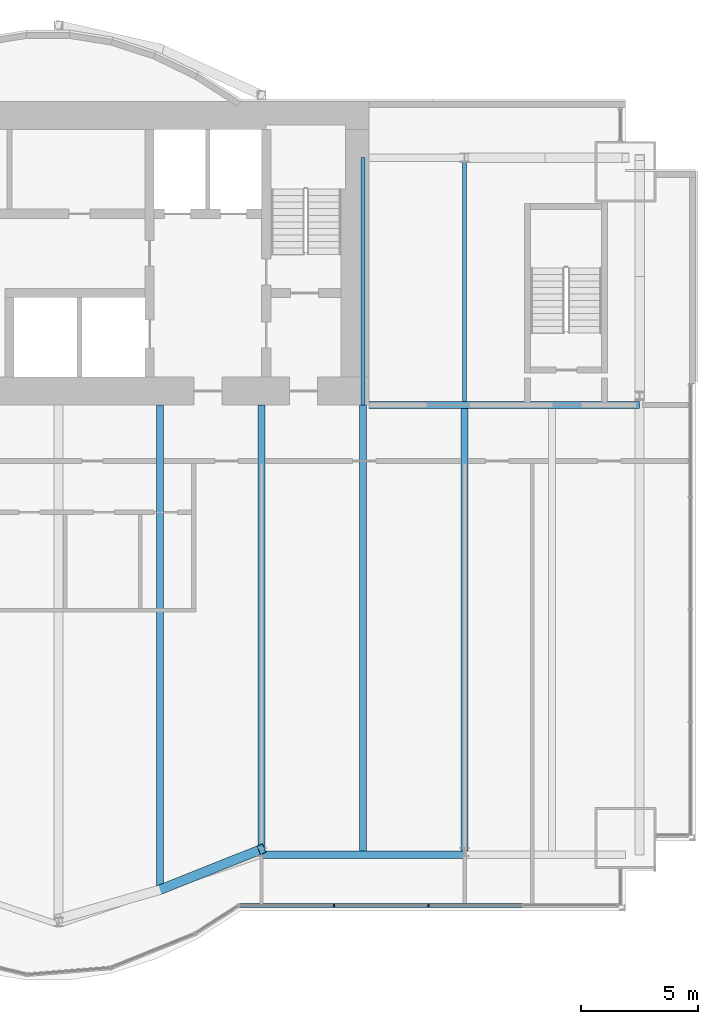
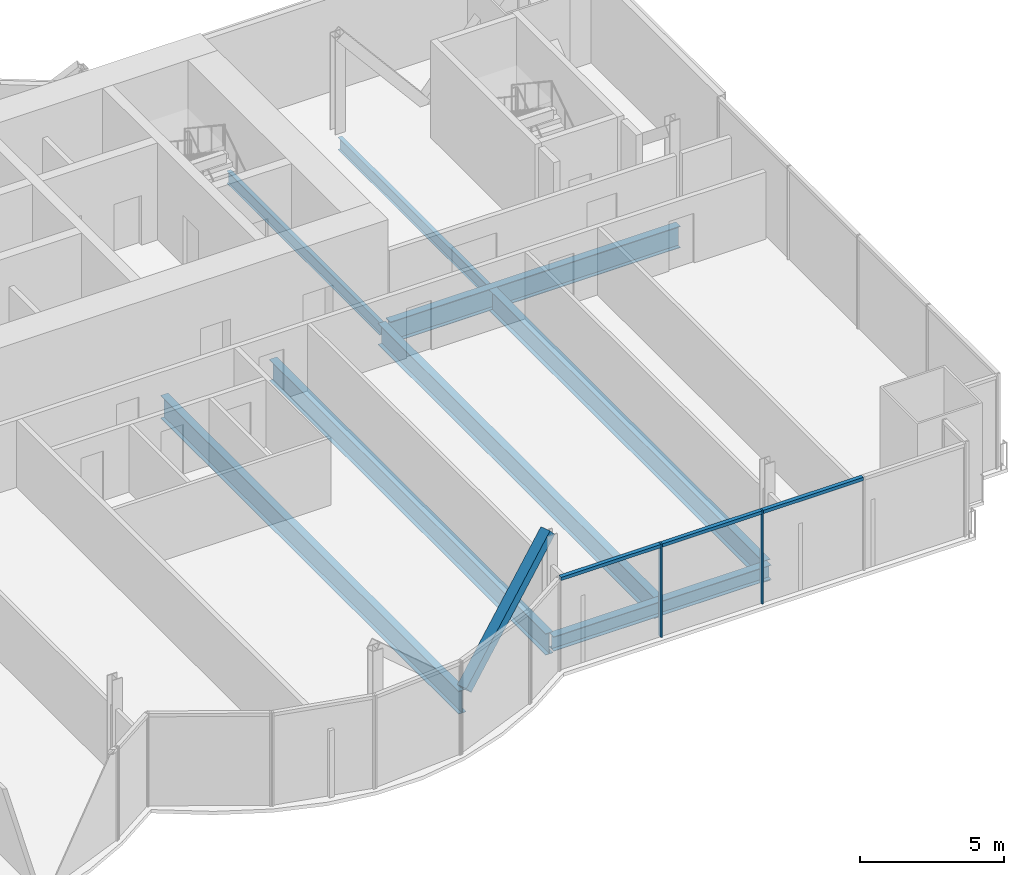
# One storey, part 9 of 21: 8 beams, 6 members, 1 element without a shape of its own.
"""IFC4 building model written with IfcOpenShell, lengths in metres."""

from ifc_helpers import new_model, si_unit, direction, frame, origin, origin_2d, place, context, subcontext, project, spatial, rectangle, hollow_rectangle, i_section, extrude, material, material_profile, profile_set, type_object, element, aggregate, save


model = new_model("IFC4")

# Units and contexts
model_context = context("Model", 3, precision=1e-05, world=origin(), true_north=direction((0.0, 1.0)))
body_context = subcontext(model_context, "Body", "Model", "MODEL_VIEW")
ifc_project = project(units=[si_unit("LENGTHUNIT", "METRE"), si_unit("AREAUNIT", "SQUARE_METRE"), si_unit("VOLUMEUNIT", "CUBIC_METRE"), si_unit("PLANEANGLEUNIT", "RADIAN"), si_unit("MASSUNIT", "GRAM", prefix="KILO")], contexts=[model_context])

# Site, building, storey
site_placement = place(None, origin())
site = spatial("IfcSite", under=ifc_project, at=site_placement, CompositionType="ELEMENT")
building_placement = place(site_placement, origin())
building = spatial("IfcBuilding", under=site, at=building_placement, Name="Bicima Exchange Tower", CompositionType="ELEMENT")
storey_placement = place(building_placement, frame((0.0, 0.0, 165.0)))
storey = spatial("IfcBuildingStorey", under=building, at=storey_placement, Name="L36", CompositionType="ELEMENT", Elevation=165.0)

# Beams
ifc_material_1 = material(Name="Steel ASTM A992 Gr 50", Category="steel")
ifc_material_profile_1 = material_profile(ifc_material_1, i_section(OverallWidth=0.3046875, OverallDepth=0.911865234375, WebThickness=0.015869140625, FlangeThickness=0.02392578125, at=origin_2d()))
ifc_profile_set_1 = profile_set([ifc_material_profile_1], Name="Steel ASTM A992 Gr 50")
beam_type_1 = type_object("IfcBeamType", Name="Core-line girder W36x150", PredefinedType="BEAM", material=ifc_profile_set_1)
beam_1_placement = place(storey_placement, frame((22.0, -13.0, -0.60595703125), z_axis=(1.0, 0.0, 0.0), x_axis=(0.0, 1.0, 0.0)))
element("IfcBeam", 1, at=beam_1_placement, inside=storey, type_object=beam_type_1, Name="Core-line girder", PredefinedType="BEAM", context=body_context, shape_type="SweptSolid", body=[
    extrude(i_section(OverallWidth=0.3046875, OverallDepth=0.911865234375, WebThickness=0.015869140625, FlangeThickness=0.02392578125, at=origin_2d()), origin(), (0.0, 0.0, 1.0), 11.60009765625),
])
ifc_material_profile_2 = material_profile(ifc_material_1, i_section(OverallWidth=0.165771484375, OverallDepth=0.5283203125, WebThickness=0.009765625, FlangeThickness=0.013671875, at=origin_2d()))
ifc_profile_set_2 = profile_set([ifc_material_profile_2], Name="Steel ASTM A992 Gr 50")
beam_type_2 = type_object("IfcBeamType", Name="Floor beam W21x50", PredefinedType="JOIST", material=ifc_profile_set_2)
beam_2_placement = place(storey_placement, frame((21.75, -2.39990234375, -0.414306640625), z_axis=(0.0, -1.0, 0.0), x_axis=(1.0, 0.0, 0.0)))
element("IfcBeam", 2, at=beam_2_placement, inside=storey, type_object=beam_type_2, Name="Floor beam", PredefinedType="JOIST", context=body_context, shape_type="SweptSolid", body=[
    extrude(i_section(OverallWidth=0.165771484375, OverallDepth=0.5283203125, WebThickness=0.009765625, FlangeThickness=0.013671875, at=origin_2d()), origin(), (0.0, 0.0, 1.0), 10.60009765625),
])
beam_3_placement = place(storey_placement, frame((26.10009765625, -2.5625, -0.414306640625), z_axis=(0.0, -1.0, 0.0), x_axis=(1.0, 0.0, 0.0)))
element("IfcBeam", 3, at=beam_3_placement, inside=storey, type_object=beam_type_2, Name="Floor beam", PredefinedType="JOIST", context=body_context, shape_type="SweptSolid", body=[
    extrude(i_section(OverallWidth=0.165771484375, OverallDepth=0.5283203125, WebThickness=0.009765625, FlangeThickness=0.013671875, at=origin_2d()), origin(), (0.0, 0.0, 1.0), 10.28515625),
])
ifc_material_profile_3 = material_profile(ifc_material_1, i_section(OverallWidth=0.3046875, OverallDepth=0.904296875, WebThickness=0.01513671875, FlangeThickness=0.02001953125, at=origin_2d()))
ifc_profile_set_3 = profile_set([ifc_material_profile_3], Name="Steel ASTM A992 Gr 50")
beam_type_3 = type_object("IfcBeamType", Name="Floor beam W36x135", PredefinedType="JOIST", material=ifc_profile_set_3)
beam_4_placement = place(storey_placement, frame((17.39990234375, -13.0, -0.60205078125), z_axis=(0.0, -1.0, 0.0), x_axis=(1.0, 0.0, 0.0)))
element("IfcBeam", 4, at=beam_4_placement, inside=storey, type_object=beam_type_3, Name="Floor beam", PredefinedType="JOIST", context=body_context, shape_type="SweptSolid", body=[
    extrude(i_section(OverallWidth=0.3046875, OverallDepth=0.904296875, WebThickness=0.01513671875, FlangeThickness=0.02001953125, at=origin_2d()), origin(), (0.0, 0.0, 1.0), 19.144287109375),
])
beam_5_placement = place(storey_placement, frame((21.75, -13.0, -0.60205078125), z_axis=(0.0, -1.0, 0.0), x_axis=(1.0, 0.0, 0.0)))
element("IfcBeam", 5, at=beam_5_placement, inside=storey, type_object=beam_type_3, Name="Floor beam", PredefinedType="JOIST", context=body_context, shape_type="SweptSolid", body=[
    extrude(i_section(OverallWidth=0.3046875, OverallDepth=0.904296875, WebThickness=0.01513671875, FlangeThickness=0.02001953125, at=origin_2d()), origin(), (0.0, 0.0, 1.0), 19.117431640625),
])
beam_6_placement = place(storey_placement, frame((26.10009765625, -13.15234375, -0.60205078125), z_axis=(0.0, -1.0, 0.0), x_axis=(1.0, 0.0, 0.0)))
element("IfcBeam", 6, at=beam_6_placement, inside=storey, type_object=beam_type_3, Name="Floor beam", PredefinedType="JOIST", context=body_context, shape_type="SweptSolid", body=[
    extrude(i_section(OverallWidth=0.3046875, OverallDepth=0.904296875, WebThickness=0.01513671875, FlangeThickness=0.02001953125, at=origin_2d()), origin(), (0.0, 0.0, 1.0), 18.965087890625),
])
ifc_material_profile_4 = material_profile(ifc_material_1, i_section(OverallWidth=0.2998046875, OverallDepth=0.97021484375, WebThickness=0.01611328125, FlangeThickness=0.02099609375, at=origin_2d()))
ifc_profile_set_4 = profile_set([ifc_material_profile_4], Name="Steel ASTM A992 Gr 50")
beam_type_4 = type_object("IfcBeamType", Name="Floor beam W40x149", PredefinedType="JOIST", material=ifc_profile_set_4)
beam_7_placement = place(storey_placement, frame((13.050048828125, -13.0, -0.635009765625), z_axis=(0.0, -1.0, 0.0), x_axis=(1.0, 0.0, 0.0)))
element("IfcBeam", 7, at=beam_7_placement, inside=storey, type_object=beam_type_4, Name="Floor beam", PredefinedType="JOIST", context=body_context, shape_type="SweptSolid", body=[
    extrude(i_section(OverallWidth=0.2998046875, OverallDepth=0.97021484375, WebThickness=0.01611328125, FlangeThickness=0.02099609375, at=origin_2d()), origin(), (0.0, 0.0, 1.0), 20.639892578125),
])
ifc_material_profile_5 = material_profile(ifc_material_1, i_section(OverallWidth=0.3251953125, OverallDepth=0.612060546875, WebThickness=0.0126953125, FlangeThickness=0.01904296875, at=origin_2d()))
ifc_profile_set_5 = profile_set([ifc_material_profile_5], Name="Steel ASTM A992 Gr 50")
beam_type_5 = type_object("IfcBeamType", Name="Front girder W24x104", PredefinedType="BEAM", material=ifc_profile_set_5)
beam_8_placement = place(storey_placement, frame((17.39990234375, -32.280029296875, -0.4560546875), z_axis=(1.0, 0.0, 0.0), x_axis=(0.0, 1.0, 0.0)))
element("IfcBeam", 8, at=beam_8_placement, inside=storey, type_object=beam_type_5, Name="Front girder", PredefinedType="BEAM", context=body_context, shape_type="SweptSolid", body=[
    extrude(i_section(OverallWidth=0.3251953125, OverallDepth=0.612060546875, WebThickness=0.0126953125, FlangeThickness=0.01904296875, at=origin_2d()), origin(), (0.0, 0.0, 1.0), 8.7001953125),
])

# Curtain wall, members
ifc_material_2 = material(Name="Anodised bronze aluminium", Category="aluminium")
curtain_wall_type = type_object("IfcCurtainWallType", Name="Front glass wall", PredefinedType="NOTDEFINED", material=ifc_material_2)
curtain_wall_placement = place(storey_placement, origin())
curtain_wall = element("IfcCurtainWall", 9, at=curtain_wall_placement, inside=storey, type_object=curtain_wall_type, Name="Front glass wall L36 run 16", PredefinedType="NOTDEFINED")
ifc_material_profile_6 = material_profile(ifc_material_2, rectangle(XDim=0.159912109375, YDim=0.06005859375, at=origin_2d()))
ifc_profile_set_6 = profile_set([ifc_material_profile_6], Name="Anodised bronze aluminium")
member_type_1 = type_object("IfcMemberType", Name="Front glass wall mullion 60 x 160", PredefinedType="MULLION", material=ifc_profile_set_6)
member_1_placement = place(storey_placement, frame((20.51171875, -34.449951171875, 0.0), z_axis=(0.0, 0.0, 1.0), x_axis=(0.0, 1.0, 0.0)))
member_1 = element("IfcMember", 10, at=member_1_placement, type_object=member_type_1, Name="Front glass wall mullion 2", PredefinedType="MULLION", context=body_context, shape_type="SweptSolid", body=[
    extrude(rectangle(XDim=0.159912109375, YDim=0.06005859375, at=origin_2d()), origin(), (0.0, 0.0, 1.0), 3.949951171875),
])
member_2_placement = place(storey_placement, frame((24.56103515625, -34.449951171875, 0.0), z_axis=(0.0, 0.0, 1.0), x_axis=(0.0, 1.0, 0.0)))
member_2 = element("IfcMember", 11, at=member_2_placement, type_object=member_type_1, Name="Front glass wall mullion 3", PredefinedType="MULLION", context=body_context, shape_type="SweptSolid", body=[
    extrude(rectangle(XDim=0.159912109375, YDim=0.06005859375, at=origin_2d()), origin(), (0.0, 0.0, 1.0), 3.949951171875),
])
ifc_material_profile_7 = material_profile(ifc_material_2, rectangle(XDim=0.159912109375, YDim=0.139892578125, at=origin_2d()))
ifc_profile_set_7 = profile_set([ifc_material_profile_7], Name="Anodised bronze aluminium")
member_type_2 = type_object("IfcMemberType", Name="Front glass wall transom 140 x 160", PredefinedType="USERDEFINED", material=ifc_profile_set_7)
member_3_placement = place(storey_placement, frame((16.4921875, -34.449951171875, 3.8798828125), z_axis=(1.0, 0.0, 0.0), x_axis=(0.0, 1.0, 0.0)))
member_3 = element("IfcMember", 12, at=member_3_placement, type_object=member_type_2, Name="Front glass wall transom 1.1", ObjectType="TRANSOM", PredefinedType="USERDEFINED", context=body_context, shape_type="SweptSolid", body=[
    extrude(rectangle(XDim=0.159912109375, YDim=0.139892578125, at=origin_2d()), origin(), (0.0, 0.0, 1.0), 3.989501953125),
])
member_4_placement = place(storey_placement, frame((20.54150390625, -34.449951171875, 3.8798828125), z_axis=(1.0, 0.0, 0.0), x_axis=(0.0, 1.0, 0.0)))
member_4 = element("IfcMember", 13, at=member_4_placement, type_object=member_type_2, Name="Front glass wall transom 2.1", ObjectType="TRANSOM", PredefinedType="USERDEFINED", context=body_context, shape_type="SweptSolid", body=[
    extrude(rectangle(XDim=0.159912109375, YDim=0.139892578125, at=origin_2d()), origin(), (0.0, 0.0, 1.0), 3.989501953125),
])
member_5_placement = place(storey_placement, frame((24.591064453125, -34.449951171875, 3.8798828125), z_axis=(1.0, 0.0, 0.0), x_axis=(0.0, 1.0, 0.0)))
member_5 = element("IfcMember", 14, at=member_5_placement, type_object=member_type_2, Name="Front glass wall transom 3.1", ObjectType="TRANSOM", PredefinedType="USERDEFINED", context=body_context, shape_type="SweptSolid", body=[
    extrude(rectangle(XDim=0.159912109375, YDim=0.139892578125, at=origin_2d()), origin(), (0.0, 0.0, 1.0), 3.989501953125),
])
aggregate(curtain_wall, [member_1, member_2, member_3, member_4, member_5])

# Member
ifc_material_3 = material(Name="Steel ASTM A572 Gr 50", Category="steel")
ifc_material_profile_8 = material_profile(ifc_material_3, hollow_rectangle(XDim=0.406494140625, YDim=0.406494140625, WallThickness=0.017822265625, at=origin_2d()))
ifc_profile_set_8 = profile_set([ifc_material_profile_8], Name="Steel ASTM A572 Gr 50")
member_type_3 = type_object("IfcMemberType", Name="Mega brace HSS16x16x3/4", PredefinedType="BRACE", material=ifc_profile_set_8)
member_6_placement = place(storey_placement, frame((13.050048828125, -33.775390625, 0.0), z_axis=(0.69870612412, 0.279411861388, 0.658588463179), x_axis=(-0.371309808925, 0.928509033772, 0.0)))
element("IfcMember", 15, at=member_6_placement, inside=storey, type_object=member_type_3, Name="Mega brace front", PredefinedType="BRACE", context=body_context, shape_type="SweptSolid", body=[
    extrude(hollow_rectangle(XDim=0.406494140625, YDim=0.406494140625, WallThickness=0.017822265625, at=origin_2d()), origin(), (0.0, 0.0, 1.0), 6.2255859375),
])

save(model, "model.ifc")
